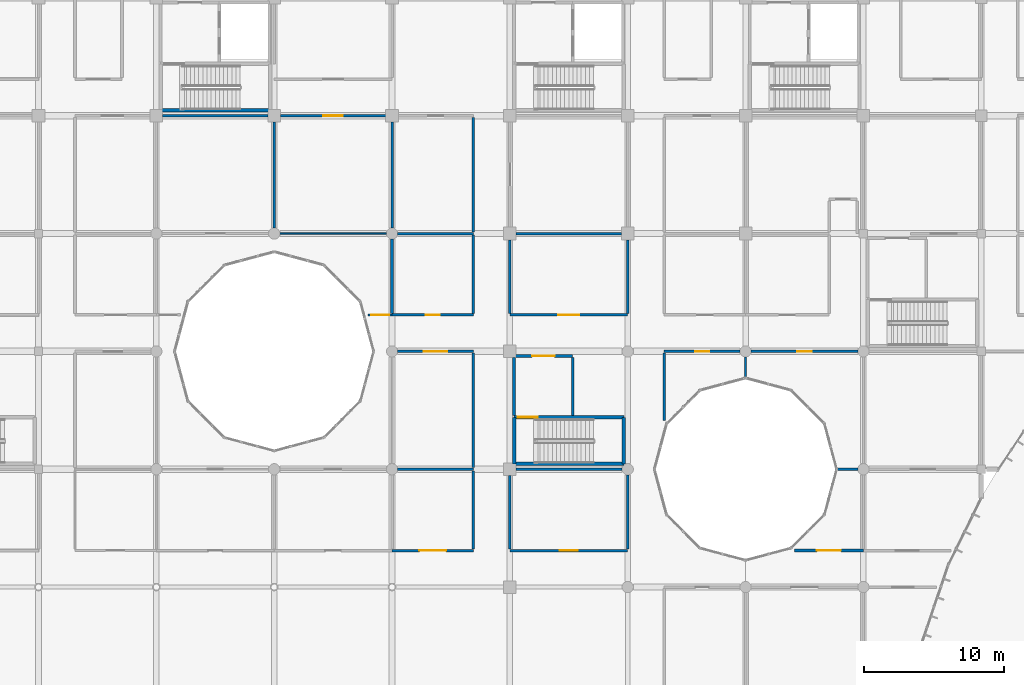
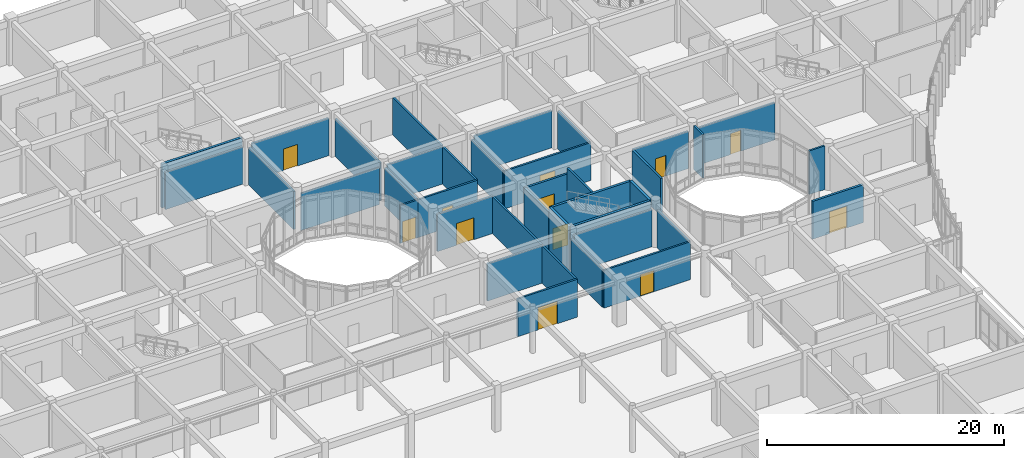
# One storey, part 103 of 138: 38 walls, 12 doors, 12 openings.
"""IFC4 building model written with IfcOpenShell, lengths in metres."""

from ifc_helpers import new_model, si_unit, direction, frame, frame_2d, origin, place, context, subcontext, project, spatial, rectangle, extrude, material, layer, layer_set, type_object, element, fill, save


model = new_model("IFC4")

# Units and contexts
model_context = context("Model", 3, precision=1e-05, world=origin(), true_north=direction((0.0, 1.0)))
body_context = subcontext(model_context, "Body", "Model", "MODEL_VIEW")
ifc_project = project(units=[si_unit("LENGTHUNIT", "METRE"), si_unit("AREAUNIT", "SQUARE_METRE"), si_unit("VOLUMEUNIT", "CUBIC_METRE"), si_unit("PLANEANGLEUNIT", "RADIAN"), si_unit("MASSUNIT", "GRAM", prefix="KILO")], contexts=[model_context])

# Site, building, storey
site_placement = place(None, origin())
site = spatial("IfcSite", under=ifc_project, at=site_placement, CompositionType="ELEMENT")
building_placement = place(site_placement, origin())
building = spatial("IfcBuilding", under=site, at=building_placement, Name="Bramfleet General Hospital", CompositionType="ELEMENT")
storey_placement = place(building_placement, origin())
storey = spatial("IfcBuildingStorey", under=building, at=storey_placement, Name="L00", CompositionType="ELEMENT", Elevation=0.0)

# Wall, opening, door
ifc_material_1 = material(Name="Concrete C35/45", Category="concrete")
ifc_layer_1 = layer(ifc_material_1, 0.219970703125, Name="WT-IW-01")
ifc_layer_set_1 = layer_set([ifc_layer_1], Name="Concrete C35/45")
wall_type_1 = type_object("IfcWallType", Name="WT-IW-01", PredefinedType="PARTITIONING", material=ifc_layer_set_1)
wall_1_placement = place(storey_placement, frame((121.074951171875, 61.39990234375, 0.0), z_axis=(0.0, 0.0, 1.0), x_axis=(1.0, 0.0, 0.0)))
wall_1 = element("IfcWall", 1, at=wall_1_placement, inside=storey, type_object=wall_type_1, Name="L00 Interior Partition IW-L00-0733", PredefinedType="PARTITIONING", context=body_context, shape_type="SweptSolid", body=[
    extrude(rectangle(XDim=4.925048828125, YDim=0.219970703125, at=frame_2d((2.46240234375, 0.0))), origin(), (0.0, 0.0, 1.0), 3.889892578125),
])
opening_1_placement = place(wall_1_placement, frame((1.612548828125, 0.0, 0.0)))
opening_1 = element("IfcOpeningElement", 2, at=opening_1_placement, cuts=wall_1, Name="Opening D0551", PredefinedType="OPENING", context=body_context, shape_type="SweptSolid", body=[
    extrude(rectangle(XDim=1.699951171875, YDim=2.25, at=frame_2d((0.85009765625, 1.125))), frame((0.0, 0.119873046875, 0.0), z_axis=(0.0, -1.0, 0.0), x_axis=(1.0, 0.0, 0.0)), (0.0, 0.0, 1.0), 0.239990234375),
])
ifc_material_2 = material(Name="Stainless steel and acoustic timber leaf", Category="steel")
door_type_1 = type_object("IfcDoorType", Name="DR-D-07", OperationType="NOTDEFINED", PredefinedType="DOOR", material=ifc_material_2)
door_1_placement = place(opening_1_placement, origin())
door_1 = element("IfcDoor", 3, at=door_1_placement, inside=storey, type_object=door_type_1, Name="Courtyard Waiting Lounge L00-1407 Door D0551", OperationType="DOUBLE_SWING_RIGHT", OverallHeight=2.25, OverallWidth=1.699951171875, PredefinedType="DOOR", context=body_context, shape_type="SweptSolid", body=[
    extrude(rectangle(XDim=1.699951171875, YDim=2.25, at=frame_2d((0.85009765625, 1.125))), frame((0.0, 0.02490234375, 0.0), z_axis=(0.0, -1.0, 0.0), x_axis=(1.0, 0.0, 0.0)), (0.0, 0.0, 1.0), 0.050048828125),
])
fill(opening_1, door_1)

# Walls
wall_2_placement = place(storey_placement, frame((92.39990234375, 78.31494140625, 0.0), z_axis=(0.0, 0.0, 1.0), x_axis=(0.0, 1.0, 0.0)))
element("IfcWall", 4, at=wall_2_placement, inside=storey, type_object=wall_type_1, Name="L00 Interior Partition IW-L00-1069", PredefinedType="PARTITIONING", context=body_context, shape_type="SweptSolid", body=[
    extrude(rectangle(XDim=5.2900390625, YDim=0.219970703125, at=frame_2d((2.64501953125, 0.0))), origin(), (0.0, 0.0, 1.0), 3.889892578125),
])
ifc_layer_2 = layer(ifc_material_1, 0.205078125, Name="WT-IW-02")
ifc_layer_set_2 = layer_set([ifc_layer_2], Name="Concrete C35/45")
wall_type_2 = type_object("IfcWallType", Name="WT-IW-02", PredefinedType="PARTITIONING", material=ifc_layer_set_2)
wall_3_placement = place(storey_placement, frame((105.280029296875, 71.0400390625, 0.0), z_axis=(0.0, 0.0, 1.0), x_axis=(0.0, 1.0, 0.0)))
element("IfcWall", 5, at=wall_3_placement, inside=storey, type_object=wall_type_2, Name="L00 C11 Lobby East Shaft Wall", PredefinedType="PARTITIONING", context=body_context, shape_type="SweptSolid", body=[
    extrude(rectangle(XDim=4.119873046875, YDim=0.205078125, at=frame_2d((2.06005859375, 0.0))), origin(), (0.0, 0.0, 1.0), 4.489990234375),
])
wall_4_placement = place(storey_placement, frame((101.10009765625, 71.0400390625, 0.0), z_axis=(0.0, 0.0, 1.0), x_axis=(0.0, 1.0, 0.0)))
element("IfcWall", 6, at=wall_4_placement, inside=storey, type_object=wall_type_2, Name="L00 C11 Lobby West Compartment Wall", PredefinedType="PARTITIONING", context=body_context, shape_type="SweptSolid", body=[
    extrude(rectangle(XDim=4.119873046875, YDim=0.205078125, at=frame_2d((2.06005859375, 0.0))), origin(), (0.0, 0.0, 1.0), 3.889892578125),
])

# Wall, opening, door
wall_5_placement = place(storey_placement, frame((101.10009765625, 75.280029296875, 0.0), z_axis=(0.0, 0.0, 1.0), x_axis=(1.0, 0.0, 0.0)))
wall_5 = element("IfcWall", 7, at=wall_5_placement, inside=storey, type_object=wall_type_2, Name="L00 C11 Lobby North Compartment Wall", PredefinedType="PARTITIONING", context=body_context, shape_type="SweptSolid", body=[
    extrude(rectangle(XDim=4.179931640625, YDim=0.205078125, at=frame_2d((2.08984375, 0.0))), origin(), (0.0, 0.0, 1.0), 3.840087890625),
])
opening_2_placement = place(wall_5_placement, frame((1.2900390625, 0.0, 0.0)))
opening_2 = element("IfcOpeningElement", 8, at=opening_2_placement, cuts=wall_5, Name="Opening D0140", PredefinedType="OPENING", context=body_context, shape_type="SweptSolid", body=[
    extrude(rectangle(XDim=1.60009765625, YDim=2.25, at=frame_2d((0.800048828125, 1.125))), frame((0.0, 0.112548828125, 0.0), z_axis=(0.0, -1.0, 0.0), x_axis=(1.0, 0.0, 0.0)), (0.0, 0.0, 1.0), 0.22509765625),
])
door_type_2 = type_object("IfcDoorType", Name="DR-D-04", OperationType="NOTDEFINED", PredefinedType="DOOR", material=ifc_material_2)
door_2_placement = place(opening_2_placement, origin())
door_2 = element("IfcDoor", 9, at=door_2_placement, inside=storey, type_object=door_type_2, Name="L00 C11 Lobby Fire Door D0140", OperationType="DOUBLE_SWING_LEFT", OverallHeight=2.25, OverallWidth=1.60009765625, PredefinedType="DOOR", context=body_context, shape_type="SweptSolid", body=[
    extrude(rectangle(XDim=1.60009765625, YDim=2.25, at=frame_2d((0.800048828125, 1.125))), frame((0.0, 0.02490234375, 0.0), z_axis=(0.0, -1.0, 0.0), x_axis=(1.0, 0.0, 0.0)), (0.0, 0.0, 1.0), 0.050048828125),
])
fill(opening_2, door_2)

# Wall
wall_6_placement = place(storey_placement, frame((111.800048828125, 70.675048828125, 0.0), z_axis=(0.0, 0.0, 1.0), x_axis=(0.0, 1.0, 0.0)))
element("IfcWall", 10, at=wall_6_placement, inside=storey, type_object=wall_type_2, Name="L00 Interior Partition IW-L00-1106", PredefinedType="PARTITIONING", context=body_context, shape_type="SweptSolid", body=[
    extrude(rectangle(XDim=4.81005859375, YDim=0.205078125, at=frame_2d((2.405029296875, 0.0))), origin(), (0.0, 0.0, 1.0), 3.840087890625),
])

# Wall, opening, door
ifc_layer_3 = layer(ifc_material_1, 0.179931640625, Name="WT-IW-04")
ifc_layer_set_3 = layer_set([ifc_layer_3], Name="Concrete C35/45")
wall_type_3 = type_object("IfcWallType", Name="WT-IW-04", PredefinedType="PARTITIONING", material=ifc_layer_set_3)
wall_7_placement = place(storey_placement, frame((92.39990234375, 61.39990234375, 0.0), z_axis=(0.0, 0.0, 1.0), x_axis=(1.0, 0.0, 0.0)))
wall_7 = element("IfcWall", 11, at=wall_7_placement, inside=storey, type_object=wall_type_3, Name="L00 Interior Partition IW-L00-0731", PredefinedType="PARTITIONING", context=body_context, shape_type="SweptSolid", body=[
    extrude(rectangle(XDim=5.800048828125, YDim=0.179931640625, at=frame_2d((2.89990234375, 0.0))), origin(), (0.0, 0.0, 1.0), 3.889892578125),
])
opening_3_placement = place(wall_7_placement, frame((1.949951171875, 0.0, 0.0)))
opening_3 = element("IfcOpeningElement", 12, at=opening_3_placement, cuts=wall_7, Name="Opening D0518", PredefinedType="OPENING", context=body_context, shape_type="SweptSolid", body=[
    extrude(rectangle(XDim=1.89990234375, YDim=2.300048828125, at=frame_2d((0.949951171875, 1.14990234375))), frame((0.0, 0.099853515625, 0.0), z_axis=(0.0, -1.0, 0.0), x_axis=(1.0, 0.0, 0.0)), (0.0, 0.0, 1.0), 0.199951171875),
])
door_type_3 = type_object("IfcDoorType", Name="DR-D-06", OperationType="NOTDEFINED", PredefinedType="DOOR", material=ifc_material_2)
door_3_placement = place(opening_3_placement, origin())
door_3 = element("IfcDoor", 13, at=door_3_placement, inside=storey, type_object=door_type_3, Name="Diagnostic Ultrasound and Fluoroscopy 1107 Door D0518", OperationType="DOUBLE_SWING_LEFT", OverallHeight=2.300048828125, OverallWidth=1.89990234375, PredefinedType="DOOR", context=body_context, shape_type="SweptSolid", body=[
    extrude(rectangle(XDim=1.89990234375, YDim=2.300048828125, at=frame_2d((0.949951171875, 1.14990234375))), frame((0.0, 0.02490234375, 0.0), z_axis=(0.0, -1.0, 0.0), x_axis=(1.0, 0.0, 0.0)), (0.0, 0.0, 1.0), 0.050048828125),
])
fill(opening_3, door_3)

wall_8_placement = place(storey_placement, frame((100.800048828125, 61.39990234375, 0.0), z_axis=(0.0, 0.0, 1.0), x_axis=(1.0, 0.0, 0.0)))
wall_8 = element("IfcWall", 14, at=wall_8_placement, inside=storey, type_object=wall_type_3, Name="L00 Interior Partition IW-L00-0732", PredefinedType="PARTITIONING", context=body_context, shape_type="SweptSolid", body=[
    extrude(rectangle(XDim=8.39990234375, YDim=0.179931640625, at=frame_2d((4.199951171875, 0.0))), origin(), (0.0, 0.0, 1.0), 3.889892578125),
])
opening_4_placement = place(wall_8_placement, frame((3.550048828125, 0.0, 0.0)))
opening_4 = element("IfcOpeningElement", 15, at=opening_4_placement, cuts=wall_8, Name="Opening D0527", PredefinedType="OPENING", context=body_context, shape_type="SweptSolid", body=[
    extrude(rectangle(XDim=1.300048828125, YDim=2.199951171875, at=frame_2d((0.64990234375, 1.10009765625))), frame((0.0, 0.099853515625, 0.0), z_axis=(0.0, -1.0, 0.0), x_axis=(1.0, 0.0, 0.0)), (0.0, 0.0, 1.0), 0.199951171875),
])
door_type_4 = type_object("IfcDoorType", Name="DR-D-15", OperationType="NOTDEFINED", PredefinedType="DOOR", material=ifc_material_2)
door_4_placement = place(opening_4_placement, origin())
door_4 = element("IfcDoor", 16, at=door_4_placement, inside=storey, type_object=door_type_4, Name="Diagnostic Ultrasound and Fluoroscopy 1207 Door D0527", OperationType="SINGLE_SWING_RIGHT", OverallHeight=2.199951171875, OverallWidth=1.300048828125, PredefinedType="DOOR", context=body_context, shape_type="SweptSolid", body=[
    extrude(rectangle(XDim=1.300048828125, YDim=2.199951171875, at=frame_2d((0.64990234375, 1.10009765625))), frame((0.0, 0.02490234375, 0.0), z_axis=(0.0, -1.0, 0.0), x_axis=(1.0, 0.0, 0.0)), (0.0, 0.0, 1.0), 0.050048828125),
])
fill(opening_4, door_4)

# Walls
wall_9_placement = place(storey_placement, frame((92.794921875, 67.199951171875, 0.0), z_axis=(0.0, 0.0, 1.0), x_axis=(1.0, 0.0, 0.0)))
element("IfcWall", 17, at=wall_9_placement, inside=storey, type_object=wall_type_3, Name="L00 Interior Partition IW-L00-0746", PredefinedType="PARTITIONING", context=body_context, shape_type="SweptSolid", body=[
    extrude(rectangle(XDim=5.405029296875, YDim=0.179931640625, at=frame_2d((2.70263671875, 0.0))), origin(), (0.0, 0.0, 1.0), 3.840087890625),
])
wall_10_placement = place(storey_placement, frame((101.2451171875, 67.199951171875, 0.0), z_axis=(0.0, 0.0, 1.0), x_axis=(1.0, 0.0, 0.0)))
element("IfcWall", 18, at=wall_10_placement, inside=storey, type_object=wall_type_3, Name="L00 Interior Partition IW-L00-0747", PredefinedType="PARTITIONING", context=body_context, shape_type="SweptSolid", body=[
    extrude(rectangle(XDim=7.559814453125, YDim=0.179931640625, at=frame_2d((3.77978515625, 0.0))), origin(), (0.0, 0.0, 1.0), 3.840087890625),
])
wall_11_placement = place(storey_placement, frame((124.10009765625, 67.199951171875, 0.0), z_axis=(0.0, 0.0, 1.0), x_axis=(1.0, 0.0, 0.0)))
element("IfcWall", 19, at=wall_11_placement, inside=storey, type_object=wall_type_3, Name="L00 Interior Partition IW-L00-0748", PredefinedType="PARTITIONING", context=body_context, shape_type="SweptSolid", body=[
    extrude(rectangle(XDim=1.5048828125, YDim=0.179931640625, at=frame_2d((0.75244140625, 0.0))), origin(), (0.0, 0.0, 1.0), 4.489990234375),
])

# Wall, opening, door
wall_12_placement = place(storey_placement, frame((92.794921875, 75.60009765625, 0.0), z_axis=(0.0, 0.0, 1.0), x_axis=(1.0, 0.0, 0.0)))
wall_12 = element("IfcWall", 20, at=wall_12_placement, inside=storey, type_object=wall_type_3, Name="L00 Interior Partition IW-L00-0759", PredefinedType="PARTITIONING", context=body_context, shape_type="SweptSolid", body=[
    extrude(rectangle(XDim=5.405029296875, YDim=0.179931640625, at=frame_2d((2.70263671875, 0.0))), origin(), (0.0, 0.0, 1.0), 3.840087890625),
])
opening_5_placement = place(wall_12_placement, frame((1.8525390625, 0.0, 0.0)))
opening_5 = element("IfcOpeningElement", 21, at=opening_5_placement, cuts=wall_12, Name="Opening D0519", PredefinedType="OPENING", context=body_context, shape_type="SweptSolid", body=[
    extrude(rectangle(XDim=1.699951171875, YDim=2.25, at=frame_2d((0.85009765625, 1.125))), frame((0.0, 0.099853515625, 0.0), z_axis=(0.0, -1.0, 0.0), x_axis=(1.0, 0.0, 0.0)), (0.0, 0.0, 1.0), 0.199951171875),
])
door_5_placement = place(opening_5_placement, origin())
door_5 = element("IfcDoor", 22, at=door_5_placement, inside=storey, type_object=door_type_1, Name="Diagnostic Ultrasound and Fluoroscopy 1108 Door D0519", OperationType="DOUBLE_SWING_RIGHT", OverallHeight=2.25, OverallWidth=1.699951171875, PredefinedType="DOOR", context=body_context, shape_type="SweptSolid", body=[
    extrude(rectangle(XDim=1.699951171875, YDim=2.25, at=frame_2d((0.85009765625, 1.125))), frame((0.0, 0.02490234375, 0.0), z_axis=(0.0, -1.0, 0.0), x_axis=(1.0, 0.0, 0.0)), (0.0, 0.0, 1.0), 0.050048828125),
])
fill(opening_5, door_5)

wall_13_placement = place(storey_placement, frame((111.800048828125, 75.60009765625, 0.0), z_axis=(0.0, 0.0, 1.0), x_axis=(1.0, 0.0, 0.0)))
wall_13 = element("IfcWall", 23, at=wall_13_placement, inside=storey, type_object=wall_type_3, Name="L00 Interior Partition IW-L00-0760", PredefinedType="PARTITIONING", context=body_context, shape_type="SweptSolid", body=[
    extrude(rectangle(XDim=5.405029296875, YDim=0.179931640625, at=frame_2d((2.70263671875, 0.0))), origin(), (0.0, 0.0, 1.0), 3.840087890625),
])
opening_6_placement = place(wall_13_placement, frame((2.21240234375, 0.0, 0.0)))
opening_6 = element("IfcOpeningElement", 24, at=opening_6_placement, cuts=wall_13, Name="Opening D0538", PredefinedType="OPENING", context=body_context, shape_type="SweptSolid", body=[
    extrude(rectangle(XDim=0.97998046875, YDim=2.1201171875, at=frame_2d((0.489990234375, 1.06005859375))), frame((0.0, 0.099853515625, 0.0), z_axis=(0.0, -1.0, 0.0), x_axis=(1.0, 0.0, 0.0)), (0.0, 0.0, 1.0), 0.199951171875),
])
door_type_5 = type_object("IfcDoorType", Name="DR-D-26", OperationType="NOTDEFINED", PredefinedType="DOOR", material=ifc_material_2)
door_6_placement = place(opening_6_placement, origin())
door_6 = element("IfcDoor", 25, at=door_6_placement, inside=storey, type_object=door_type_5, Name="Courtyard Waiting Lounge L00-1308 Door D0538", OperationType="SINGLE_SWING_LEFT", OverallHeight=2.1201171875, OverallWidth=0.97998046875, PredefinedType="DOOR", context=body_context, shape_type="SweptSolid", body=[
    extrude(rectangle(XDim=0.97998046875, YDim=2.1201171875, at=frame_2d((0.489990234375, 1.06005859375))), frame((0.0, 0.02490234375, 0.0), z_axis=(0.0, -1.0, 0.0), x_axis=(1.0, 0.0, 0.0)), (0.0, 0.0, 1.0), 0.050048828125),
])
fill(opening_6, door_6)

wall_14_placement = place(storey_placement, frame((92.39990234375, 78.199951171875, 0.0), z_axis=(0.0, 0.0, 1.0), x_axis=(1.0, 0.0, 0.0)))
wall_14 = element("IfcWall", 26, at=wall_14_placement, inside=storey, type_object=wall_type_3, Name="L00 Interior Partition IW-L00-0775", PredefinedType="PARTITIONING", context=body_context, shape_type="SweptSolid", body=[
    extrude(rectangle(XDim=5.800048828125, YDim=0.179931640625, at=frame_2d((2.89990234375, 0.0))), origin(), (0.0, 0.0, 1.0), 3.889892578125),
])
opening_7_placement = place(wall_14_placement, frame((2.39990234375, 0.0, 0.0)))
opening_7 = element("IfcOpeningElement", 27, at=opening_7_placement, cuts=wall_14, Name="Opening D0520", PredefinedType="OPENING", context=body_context, shape_type="SweptSolid", body=[
    extrude(rectangle(XDim=1.0, YDim=2.14990234375, at=frame_2d((0.5, 1.074951171875))), frame((0.0, 0.099853515625, 0.0), z_axis=(0.0, -1.0, 0.0), x_axis=(1.0, 0.0, 0.0)), (0.0, 0.0, 1.0), 0.199951171875),
])
door_type_6 = type_object("IfcDoorType", Name="DR-D-08", OperationType="NOTDEFINED", PredefinedType="DOOR", material=ifc_material_2)
door_7_placement = place(opening_7_placement, origin())
door_7 = element("IfcDoor", 28, at=door_7_placement, inside=storey, type_object=door_type_6, Name="Diagnostic Ultrasound and Fluoroscopy 1109 Door D0520", OperationType="SINGLE_SWING_LEFT", OverallHeight=2.14990234375, OverallWidth=1.0, PredefinedType="DOOR", context=body_context, shape_type="SweptSolid", body=[
    extrude(rectangle(XDim=1.0, YDim=2.14990234375, at=frame_2d((0.5, 1.074951171875))), frame((0.0, 0.02490234375, 0.0), z_axis=(0.0, -1.0, 0.0), x_axis=(1.0, 0.0, 0.0)), (0.0, 0.0, 1.0), 0.050048828125),
])
fill(opening_7, door_7)

wall_15_placement = place(storey_placement, frame((100.800048828125, 78.199951171875, 0.0), z_axis=(0.0, 0.0, 1.0), x_axis=(1.0, 0.0, 0.0)))
wall_15 = element("IfcWall", 29, at=wall_15_placement, inside=storey, type_object=wall_type_3, Name="L00 Interior Partition IW-L00-0776", PredefinedType="PARTITIONING", context=body_context, shape_type="SweptSolid", body=[
    extrude(rectangle(XDim=8.39990234375, YDim=0.179931640625, at=frame_2d((4.199951171875, 0.0))), origin(), (0.0, 0.0, 1.0), 3.889892578125),
])
opening_8_placement = place(wall_15_placement, frame((3.4599609375, 0.0, 0.0)))
opening_8 = element("IfcOpeningElement", 30, at=opening_8_placement, cuts=wall_15, Name="Opening D0528", PredefinedType="OPENING", context=body_context, shape_type="SweptSolid", body=[
    extrude(rectangle(XDim=1.47998046875, YDim=2.219970703125, at=frame_2d((0.739990234375, 1.10986328125))), frame((0.0, 0.099853515625, 0.0), z_axis=(0.0, -1.0, 0.0), x_axis=(1.0, 0.0, 0.0)), (0.0, 0.0, 1.0), 0.199951171875),
])
door_type_7 = type_object("IfcDoorType", Name="DR-D-16", OperationType="NOTDEFINED", PredefinedType="DOOR", material=ifc_material_2)
door_8_placement = place(opening_8_placement, origin())
door_8 = element("IfcDoor", 31, at=door_8_placement, inside=storey, type_object=door_type_7, Name="Diagnostic Ultrasound and Fluoroscopy 1209 Door D0528", OperationType="SINGLE_SWING_LEFT", OverallHeight=2.219970703125, OverallWidth=1.47998046875, PredefinedType="DOOR", context=body_context, shape_type="SweptSolid", body=[
    extrude(rectangle(XDim=1.47998046875, YDim=2.219970703125, at=frame_2d((0.739990234375, 1.10986328125))), frame((0.0, 0.02490234375, 0.0), z_axis=(0.0, -1.0, 0.0), x_axis=(1.0, 0.0, 0.0)), (0.0, 0.0, 1.0), 0.050048828125),
])
fill(opening_8, door_8)

# Walls
wall_16_placement = place(storey_placement, frame((92.794921875, 84.0, 0.0), z_axis=(0.0, 0.0, 1.0), x_axis=(1.0, 0.0, 0.0)))
element("IfcWall", 32, at=wall_16_placement, inside=storey, type_object=wall_type_3, Name="L00 Interior Partition IW-L00-0792", PredefinedType="PARTITIONING", context=body_context, shape_type="SweptSolid", body=[
    extrude(rectangle(XDim=5.405029296875, YDim=0.179931640625, at=frame_2d((2.70263671875, 0.0))), origin(), (0.0, 0.0, 1.0), 3.840087890625),
])
wall_17_placement = place(storey_placement, frame((101.2451171875, 84.0, 0.0), z_axis=(0.0, 0.0, 1.0), x_axis=(1.0, 0.0, 0.0)))
element("IfcWall", 33, at=wall_17_placement, inside=storey, type_object=wall_type_3, Name="L00 Interior Partition IW-L00-0793", PredefinedType="PARTITIONING", context=body_context, shape_type="SweptSolid", body=[
    extrude(rectangle(XDim=7.509765625, YDim=0.179931640625, at=frame_2d((3.7548828125, 0.0))), origin(), (0.0, 0.0, 1.0), 3.840087890625),
])
wall_18_placement = place(storey_placement, frame((76.044921875, 92.39990234375, 0.0), z_axis=(0.0, 0.0, 1.0), x_axis=(1.0, 0.0, 0.0)))
element("IfcWall", 34, at=wall_18_placement, inside=storey, type_object=wall_type_3, Name="L00 Interior Partition IW-L00-0809", PredefinedType="PARTITIONING", context=body_context, shape_type="SweptSolid", body=[
    extrude(rectangle(XDim=7.510009765625, YDim=0.179931640625, at=frame_2d((3.7548828125, 0.0))), origin(), (0.0, 0.0, 1.0), 3.840087890625),
])

# Wall, opening, door
wall_19_placement = place(storey_placement, frame((84.445068359375, 92.39990234375, 0.0), z_axis=(0.0, 0.0, 1.0), x_axis=(1.0, 0.0, 0.0)))
wall_19 = element("IfcWall", 35, at=wall_19_placement, inside=storey, type_object=wall_type_3, Name="L00 Interior Partition IW-L00-0810", PredefinedType="PARTITIONING", context=body_context, shape_type="SweptSolid", body=[
    extrude(rectangle(XDim=7.510009765625, YDim=0.179931640625, at=frame_2d((3.7548828125, 0.0))), origin(), (0.0, 0.0, 1.0), 3.840087890625),
])
opening_9_placement = place(wall_19_placement, frame((3.06494140625, 0.0, 0.0)))
opening_9 = element("IfcOpeningElement", 36, at=opening_9_placement, cuts=wall_19, Name="Opening D0510", PredefinedType="OPENING", context=body_context, shape_type="SweptSolid", body=[
    extrude(rectangle(XDim=1.3798828125, YDim=2.219970703125, at=frame_2d((0.68994140625, 1.10986328125))), frame((0.0, 0.099853515625, 0.0), z_axis=(0.0, -1.0, 0.0), x_axis=(1.0, 0.0, 0.0)), (0.0, 0.0, 1.0), 0.199951171875),
])
door_type_8 = type_object("IfcDoorType", Name="DR-D-30", OperationType="NOTDEFINED", PredefinedType="DOOR", material=ifc_material_2)
door_9_placement = place(opening_9_placement, origin())
door_9 = element("IfcDoor", 37, at=door_9_placement, inside=storey, type_object=door_type_8, Name="Diagnostic Ultrasound and Fluoroscopy 1010 Door D0510", OperationType="SINGLE_SWING_LEFT", OverallHeight=2.219970703125, OverallWidth=1.3798828125, PredefinedType="DOOR", context=body_context, shape_type="SweptSolid", body=[
    extrude(rectangle(XDim=1.3798828125, YDim=2.219970703125, at=frame_2d((0.68994140625, 1.10986328125))), frame((0.0, 0.02490234375, 0.0), z_axis=(0.0, -1.0, 0.0), x_axis=(1.0, 0.0, 0.0)), (0.0, 0.0, 1.0), 0.050048828125),
])
fill(opening_9, door_9)

# Walls
for number, where, z_axis, x_axis, name in (
    (38, (84.0, 84.39501953125, 0.0), (0.0, 0.0, 1.0), (0.0, 1.0, 0.0), "L00 Interior Partition IW-L00-1061"),
    (39, (92.39990234375, 84.39501953125, 0.0), (0.0, 0.0, 1.0), (0.0, 1.0, 0.0), "L00 Interior Partition IW-L00-1070"),
):
    element("IfcWall", number, at=place(storey_placement, frame(where, z_axis=z_axis, x_axis=x_axis)), inside=storey, type_object=wall_type_3, Name=name, PredefinedType="PARTITIONING", context=body_context, shape_type="SweptSolid", body=[
        extrude(rectangle(XDim=7.56005859375, YDim=0.179931640625, at=frame_2d((3.780029296875, 0.0))), origin(), (0.0, 0.0, 1.0), 3.889892578125),
    ])
wall_20_placement = place(storey_placement, frame((98.199951171875, 61.514892578125, 0.0), z_axis=(0.0, 0.0, 1.0), x_axis=(0.0, 1.0, 0.0)))
element("IfcWall", 40, at=wall_20_placement, inside=storey, type_object=wall_type_3, Name="L00 Interior Partition IW-L00-1078", PredefinedType="PARTITIONING", context=body_context, shape_type="SweptSolid", body=[
    extrude(rectangle(XDim=5.570068359375, YDim=0.179931640625, at=frame_2d((2.78515625, 0.0))), origin(), (0.0, 0.0, 1.0), 3.840087890625),
])
wall_21_placement = place(storey_placement, frame((98.199951171875, 67.31494140625, 0.0), z_axis=(0.0, 0.0, 1.0), x_axis=(0.0, 1.0, 0.0)))
element("IfcWall", 41, at=wall_21_placement, inside=storey, type_object=wall_type_3, Name="L00 Interior Partition IW-L00-1079", PredefinedType="PARTITIONING", context=body_context, shape_type="SweptSolid", body=[
    extrude(rectangle(XDim=8.170166015625, YDim=0.179931640625, at=frame_2d((4.0849609375, 0.0))), origin(), (0.0, 0.0, 1.0), 3.840087890625),
])
wall_22_placement = place(storey_placement, frame((98.199951171875, 78.31494140625, 0.0), z_axis=(0.0, 0.0, 1.0), x_axis=(0.0, 1.0, 0.0)))
element("IfcWall", 42, at=wall_22_placement, inside=storey, type_object=wall_type_3, Name="L00 Interior Partition IW-L00-1080", PredefinedType="PARTITIONING", context=body_context, shape_type="SweptSolid", body=[
    extrude(rectangle(XDim=5.570068359375, YDim=0.179931640625, at=frame_2d((2.78515625, 0.0))), origin(), (0.0, 0.0, 1.0), 3.840087890625),
])
wall_23_placement = place(storey_placement, frame((98.199951171875, 84.114990234375, 0.0), z_axis=(0.0, 0.0, 1.0), x_axis=(0.0, 1.0, 0.0)))
element("IfcWall", 43, at=wall_23_placement, inside=storey, type_object=wall_type_3, Name="L00 Interior Partition IW-L00-1081", PredefinedType="PARTITIONING", context=body_context, shape_type="SweptSolid", body=[
    extrude(rectangle(XDim=8.169921875, YDim=0.179931640625, at=frame_2d((4.0849609375, 0.0))), origin(), (0.0, 0.0, 1.0), 3.840087890625),
])
for number, where, z_axis, x_axis, name in (
    (44, (100.800048828125, 61.514892578125, 0.0), (0.0, 0.0, 1.0), (0.0, 1.0, 0.0), "L00 Interior Partition IW-L00-1088"),
    (45, (100.800048828125, 78.31494140625, 0.0), (0.0, 0.0, 1.0), (0.0, 1.0, 0.0), "L00 Interior Partition IW-L00-1089"),
):
    element("IfcWall", number, at=place(storey_placement, frame(where, z_axis=z_axis, x_axis=x_axis)), inside=storey, type_object=wall_type_3, Name=name, PredefinedType="PARTITIONING", context=body_context, shape_type="SweptSolid", body=[
        extrude(rectangle(XDim=5.239990234375, YDim=0.179931640625, at=frame_2d((2.6201171875, 0.0))), origin(), (0.0, 0.0, 1.0), 3.889892578125),
    ])
wall_24_placement = place(storey_placement, frame((109.199951171875, 61.514892578125, 0.0), z_axis=(0.0, 0.0, 1.0), x_axis=(0.0, 1.0, 0.0)))
element("IfcWall", 46, at=wall_24_placement, inside=storey, type_object=wall_type_3, Name="L00 Interior Partition IW-L00-1095", PredefinedType="PARTITIONING", context=body_context, shape_type="SweptSolid", body=[
    extrude(rectangle(XDim=5.2900390625, YDim=0.179931640625, at=frame_2d((2.64501953125, 0.0))), origin(), (0.0, 0.0, 1.0), 3.889892578125),
])
wall_25_placement = place(storey_placement, frame((109.199951171875, 78.31494140625, 0.0), z_axis=(0.0, 0.0, 1.0), x_axis=(0.0, 1.0, 0.0)))
element("IfcWall", 47, at=wall_25_placement, inside=storey, type_object=wall_type_3, Name="L00 Interior Partition IW-L00-1096", PredefinedType="PARTITIONING", context=body_context, shape_type="SweptSolid", body=[
    extrude(rectangle(XDim=5.239990234375, YDim=0.179931640625, at=frame_2d((2.6201171875, 0.0))), origin(), (0.0, 0.0, 1.0), 3.889892578125),
])

# Wall, opening, door
ifc_material_3 = material(Name="Gypsum plasterboard on acoustic steel studs", Category="steel")
ifc_layer_4 = layer(ifc_material_3, 0.169921875, Name="WT-IW-05")
ifc_layer_set_4 = layer_set([ifc_layer_4], Name="Gypsum plasterboard on acoustic steel studs")
wall_type_4 = type_object("IfcWallType", Name="WT-IW-05", PredefinedType="PARTITIONING", material=ifc_layer_set_4)
wall_26_placement = place(storey_placement, frame((117.9951171875, 75.60009765625, 0.0), z_axis=(0.0, 0.0, 1.0), x_axis=(1.0, 0.0, 0.0)))
wall_26 = element("IfcWall", 48, at=wall_26_placement, inside=storey, type_object=wall_type_4, Name="L00 Interior Partition IW-L00-0761", PredefinedType="PARTITIONING", context=body_context, shape_type="SweptSolid", body=[
    extrude(rectangle(XDim=7.60986328125, YDim=0.169921875, at=frame_2d((3.804931640625, 0.0))), origin(), (0.0, 0.0, 1.0), 3.840087890625),
])
opening_10_placement = place(wall_26_placement, frame((3.304931640625, 0.0, 0.0)))
opening_10 = element("IfcOpeningElement", 49, at=opening_10_placement, cuts=wall_26, Name="Opening D0552", PredefinedType="OPENING", context=body_context, shape_type="SweptSolid", body=[
    extrude(rectangle(XDim=1.0, YDim=2.14990234375, at=frame_2d((0.5, 1.074951171875))), frame((0.0, 0.094970703125, 0.0), z_axis=(0.0, -1.0, 0.0), x_axis=(1.0, 0.0, 0.0)), (0.0, 0.0, 1.0), 0.18994140625),
])
door_10_placement = place(opening_10_placement, origin())
door_10 = element("IfcDoor", 50, at=door_10_placement, inside=storey, type_object=door_type_6, Name="Courtyard Waiting Lounge L00-1408 Door D0552", OperationType="SINGLE_SWING_LEFT", OverallHeight=2.14990234375, OverallWidth=1.0, PredefinedType="DOOR", context=body_context, shape_type="SweptSolid", body=[
    extrude(rectangle(XDim=1.0, YDim=2.14990234375, at=frame_2d((0.5, 1.074951171875))), frame((0.0, 0.02490234375, 0.0), z_axis=(0.0, -1.0, 0.0), x_axis=(1.0, 0.0, 0.0)), (0.0, 0.0, 1.0), 0.050048828125),
])
fill(opening_10, door_10)

ifc_layer_5 = layer(ifc_material_3, 0.159912109375, Name="WT-IW-06")
ifc_layer_set_5 = layer_set([ifc_layer_5], Name="Gypsum plasterboard on acoustic steel studs")
wall_type_5 = type_object("IfcWallType", Name="WT-IW-06", PredefinedType="PARTITIONING", material=ifc_layer_set_5)
wall_27_placement = place(storey_placement, frame((90.693359375, 78.199951171875, 0.0), z_axis=(0.0, 0.0, 1.0), x_axis=(1.0, 0.0, 0.0)))
wall_27 = element("IfcWall", 51, at=wall_27_placement, inside=storey, type_object=wall_type_5, Name="L00 Interior Partition IW-L00-0774", PredefinedType="PARTITIONING", context=body_context, shape_type="SweptSolid", body=[
    extrude(rectangle(XDim=1.70654296875, YDim=0.159912109375, at=frame_2d((0.853271484375, 0.0))), origin(), (0.0, 0.0, 1.0), 3.889892578125),
])
opening_11_placement = place(wall_27_placement, frame((0.21337890625, 0.0, 0.0)))
opening_11 = element("IfcOpeningElement", 52, at=opening_11_placement, cuts=wall_27, Name="Opening D0509", PredefinedType="OPENING", context=body_context, shape_type="SweptSolid", body=[
    extrude(rectangle(XDim=1.280029296875, YDim=2.179931640625, at=frame_2d((0.64013671875, 1.08984375))), frame((0.0, 0.08984375, 0.0), z_axis=(0.0, -1.0, 0.0), x_axis=(1.0, 0.0, 0.0)), (0.0, 0.0, 1.0), 0.179931640625),
])
door_type_9 = type_object("IfcDoorType", Name="DR-D-29", OperationType="NOTDEFINED", PredefinedType="DOOR", material=ifc_material_2)
door_11_placement = place(opening_11_placement, origin())
door_11 = element("IfcDoor", 53, at=door_11_placement, inside=storey, type_object=door_type_9, Name="Courtyard Waiting Lounge L00-1009 Door D0509", OperationType="SINGLE_SWING_RIGHT", OverallHeight=2.179931640625, OverallWidth=1.280029296875, PredefinedType="DOOR", context=body_context, shape_type="SweptSolid", body=[
    extrude(rectangle(XDim=1.280029296875, YDim=2.179931640625, at=frame_2d((0.64013671875, 1.08984375))), frame((0.0, 0.02490234375, 0.0), z_axis=(0.0, -1.0, 0.0), x_axis=(1.0, 0.0, 0.0)), (0.0, 0.0, 1.0), 0.050048828125),
])
fill(opening_11, door_11)

# Walls
wall_28_placement = place(storey_placement, frame((117.60009765625, 73.699951171875, 0.0), z_axis=(0.0, 0.0, 1.0), x_axis=(0.0, 1.0, 0.0)))
element("IfcWall", 54, at=wall_28_placement, inside=storey, type_object=wall_type_5, Name="L00 Interior Partition IW-L00-1122", PredefinedType="PARTITIONING", context=body_context, shape_type="SweptSolid", body=[
    extrude(rectangle(XDim=1.505126953125, YDim=0.159912109375, at=frame_2d((0.75244140625, 0.0))), origin(), (0.0, 0.0, 1.0), 4.489990234375),
])
ifc_layer_6 = layer(ifc_material_3, 0.112060546875, Name="WT-IW-11")
ifc_layer_set_6 = layer_set([ifc_layer_6], Name="Gypsum plasterboard on acoustic steel studs")
wall_type_6 = type_object("IfcWallType", Name="WT-IW-11", PredefinedType="PARTITIONING", material=ifc_layer_set_6)
wall_29_placement = place(storey_placement, frame((84.39501953125, 84.0, 0.0), z_axis=(0.0, 0.0, 1.0), x_axis=(1.0, 0.0, 0.0)))
element("IfcWall", 55, at=wall_29_placement, inside=storey, type_object=wall_type_6, Name="L00 Interior Partition IW-L00-0791", PredefinedType="PARTITIONING", context=body_context, shape_type="SweptSolid", body=[
    extrude(rectangle(XDim=7.60986328125, YDim=0.112060546875, at=frame_2d((3.804931640625, 0.0))), origin(), (0.0, 0.0, 1.0), 3.840087890625),
])
ifc_material_4 = material(Name="Concrete C40/50", Category="concrete")
ifc_layer_7 = layer(ifc_material_4, 0.239990234375, Name="WT-SW-240")
ifc_layer_set_7 = layer_set([ifc_layer_7], Name="Concrete C40/50")
wall_type_7 = type_object("IfcWallType", Name="WT-SW-240", PredefinedType="SHEAR", material=ifc_layer_set_7)
wall_30_placement = place(storey_placement, frame((75.89990234375, 92.780029296875, 0.0), z_axis=(0.0, 0.0, 1.0), x_axis=(1.0, 0.0, 0.0)))
element("IfcWall", 56, at=wall_30_placement, inside=storey, type_object=wall_type_7, Name="L00 C5 South Stair Shear Wall", PredefinedType="SHEAR", context=body_context, shape_type="SweptSolid", body=[
    extrude(rectangle(XDim=7.820068359375, YDim=0.239990234375, at=frame_2d((3.91015625, 0.0))), origin(), (0.0, 0.0, 1.0), 4.5),
])
wall_31_placement = place(storey_placement, frame((101.10009765625, 67.580078125, 0.0), z_axis=(0.0, 0.0, 1.0), x_axis=(1.0, 0.0, 0.0)))
element("IfcWall", 57, at=wall_31_placement, inside=storey, type_object=wall_type_7, Name="L00 C11 South Stair Shear Wall", PredefinedType="SHEAR", context=body_context, shape_type="SweptSolid", body=[
    extrude(rectangle(XDim=7.81982421875, YDim=0.239990234375, at=frame_2d((3.909912109375, 0.0))), origin(), (0.0, 0.0, 1.0), 4.5),
])
for number, where, z_axis, x_axis, name in (
    (58, (101.10009765625, 67.580078125, 0.0), (0.0, 0.0, 1.0), (0.0, 1.0, 0.0), "L00 C11 West Stair Shear Wall"),
    (59, (108.919921875, 67.580078125, 0.0), (0.0, 0.0, 1.0), (0.0, 1.0, 0.0), "L00 C11 East Stair Shear Wall"),
):
    element("IfcWall", number, at=place(storey_placement, frame(where, z_axis=z_axis, x_axis=x_axis)), inside=storey, type_object=wall_type_7, Name=name, PredefinedType="SHEAR", context=body_context, shape_type="SweptSolid", body=[
        extrude(rectangle(XDim=3.31982421875, YDim=0.239990234375, at=frame_2d((1.659912109375, 0.0))), origin(), (0.0, 0.0, 1.0), 4.5),
    ])

# Wall, opening, door
wall_32_placement = place(storey_placement, frame((101.10009765625, 70.89990234375, 0.0), z_axis=(0.0, 0.0, 1.0), x_axis=(1.0, 0.0, 0.0)))
wall_32 = element("IfcWall", 60, at=wall_32_placement, inside=storey, type_object=wall_type_7, Name="L00 C11 Stair-Lobby Shear Wall", PredefinedType="SHEAR", context=body_context, shape_type="SweptSolid", body=[
    extrude(rectangle(XDim=7.81982421875, YDim=0.239990234375, at=frame_2d((3.909912109375, 0.0))), origin(), (0.0, 0.0, 1.0), 4.5),
])
opening_12_placement = place(wall_32_placement, frame((0.25, 0.0, 0.0)))
opening_12 = element("IfcOpeningElement", 61, at=opening_12_placement, cuts=wall_32, Name="Opening D0139", PredefinedType="OPENING", context=body_context, shape_type="SweptSolid", body=[
    extrude(rectangle(XDim=1.449951171875, YDim=2.199951171875, at=frame_2d((0.72509765625, 1.10009765625))), frame((0.0, 0.1298828125, 0.0), z_axis=(0.0, -1.0, 0.0), x_axis=(1.0, 0.0, 0.0)), (0.0, 0.0, 1.0), 0.260009765625),
])
door_type_10 = type_object("IfcDoorType", Name="DR-D-03", OperationType="NOTDEFINED", PredefinedType="DOOR", material=ifc_material_2)
door_12_placement = place(opening_12_placement, origin())
door_12 = element("IfcDoor", 62, at=door_12_placement, inside=storey, type_object=door_type_10, Name="L00 C11 Escape Stair Fire Door D0139", OperationType="SINGLE_SWING_RIGHT", OverallHeight=2.199951171875, OverallWidth=1.449951171875, PredefinedType="DOOR", context=body_context, shape_type="SweptSolid", body=[
    extrude(rectangle(XDim=1.449951171875, YDim=2.199951171875, at=frame_2d((0.72509765625, 1.10009765625))), frame((0.0, 0.02490234375, 0.0), z_axis=(0.0, -1.0, 0.0), x_axis=(1.0, 0.0, 0.0)), (0.0, 0.0, 1.0), 0.050048828125),
])
fill(opening_12, door_12)

save(model, "model.ifc")
